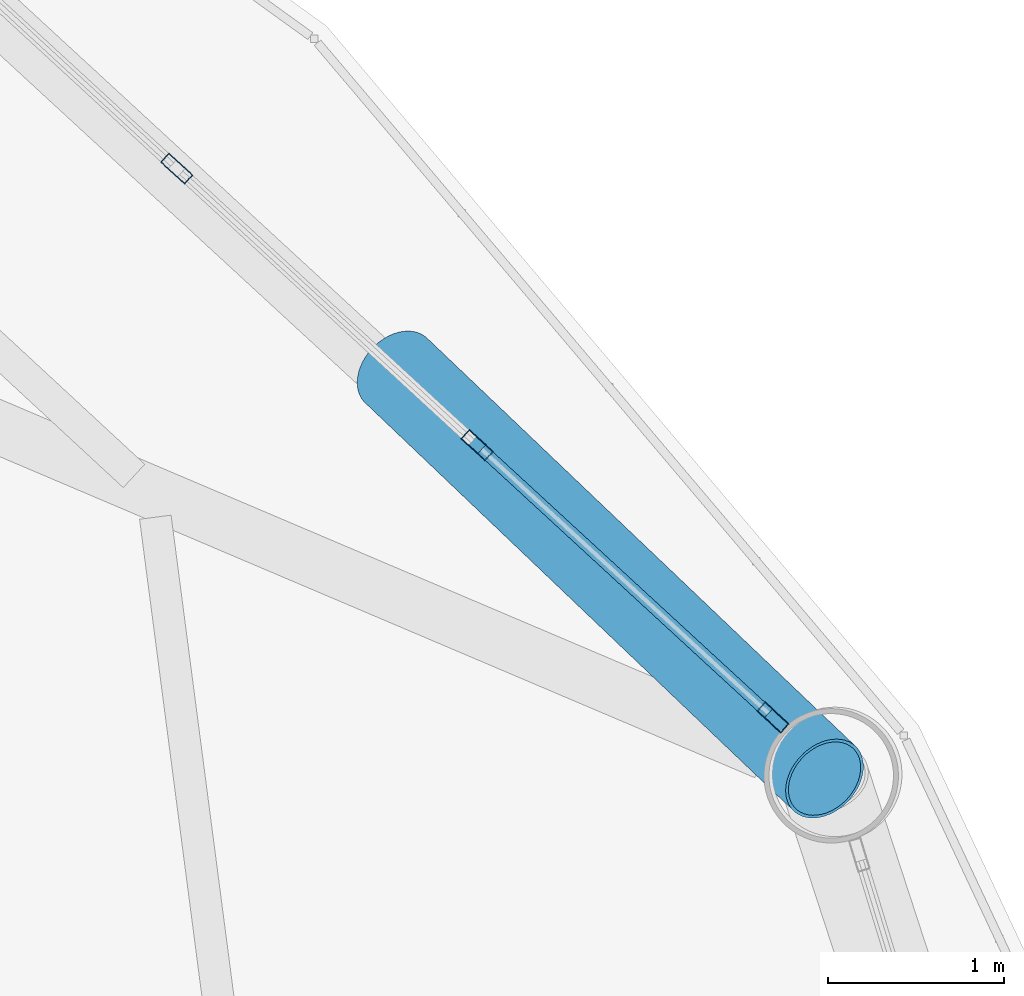
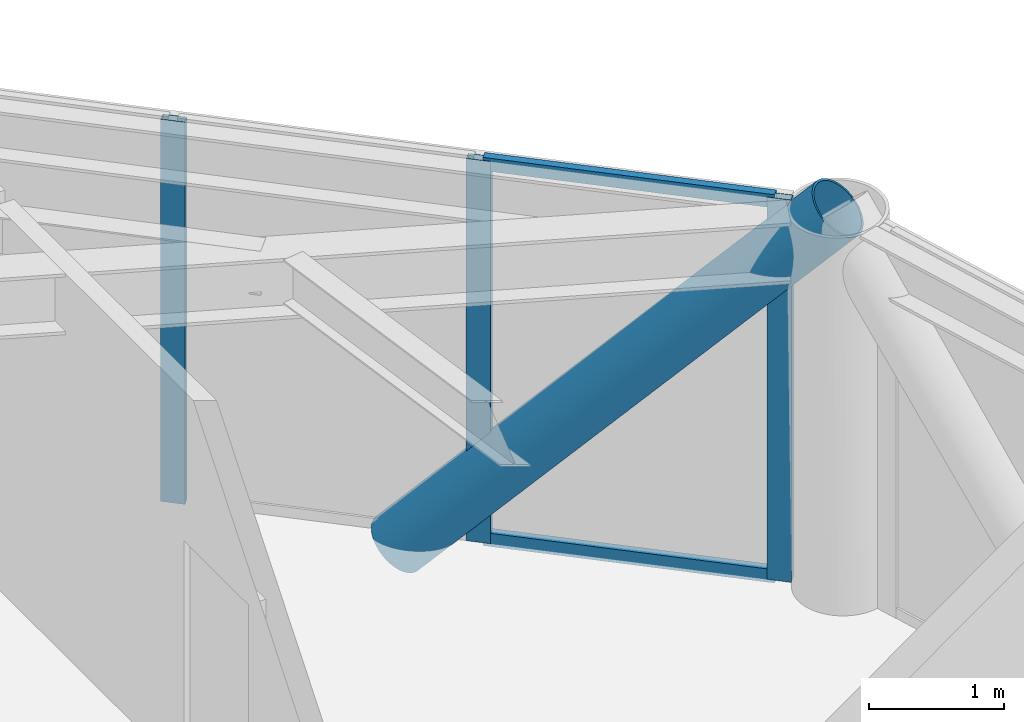
# One storey, part 17 of 26: 6 members, 1 element without a shape of its own.
"""IFC4 building model written with IfcOpenShell, lengths in metres."""

from ifc_helpers import new_model, si_unit, direction, frame, origin, origin_2d, place, context, subcontext, project, spatial, hollow_rectangle, hollow_circle, extrude, material, layer, layer_set, material_profile, profile_set, type_object, element, aggregate, save


model = new_model("IFC4")

# Units and contexts
model_context = context("Model", 3, precision=1e-05, world=origin(), true_north=direction((0.0, 1.0)))
body_context = subcontext(model_context, "Body", "Model", "MODEL_VIEW")
ifc_project = project(units=[si_unit("LENGTHUNIT", "METRE"), si_unit("AREAUNIT", "SQUARE_METRE"), si_unit("VOLUMEUNIT", "CUBIC_METRE"), si_unit("PLANEANGLEUNIT", "RADIAN"), si_unit("MASSUNIT", "GRAM", prefix="KILO")], contexts=[model_context])

# Site, building, storey
site_placement = place(None, origin())
site = spatial("IfcSite", under=ifc_project, at=site_placement, CompositionType="ELEMENT")
building_placement = place(site_placement, origin())
building = spatial("IfcBuilding", under=site, at=building_placement, Name="Varnakorn Sky Granary", CompositionType="ELEMENT")
storey_placement = place(building_placement, frame((0.0, 0.0, 165.60009765625)))
storey = spatial("IfcBuildingStorey", under=building, at=storey_placement, Name="L41", CompositionType="ELEMENT", Elevation=165.60009765625)

# Curtain wall, members
ifc_material_1 = material(Name="Anodised Bronze Aluminium Alloy 6063-T6", Category="aluminium")
ifc_layer = layer(ifc_material_1, 0.179931640625, Name="Anodised Bronze Aluminium Alloy 6063-T6")
ifc_layer_set = layer_set([ifc_layer], Name="Anodised Bronze Aluminium Alloy 6063-T6")
curtain_wall_type = type_object("IfcCurtainWallType", Name="CW-FRM-2", PredefinedType="USERDEFINED", material=ifc_layer_set)
curtain_wall_placement = place(storey_placement, origin())
curtain_wall = element("IfcCurtainWall", 1, at=curtain_wall_placement, inside=storey, type_object=curtain_wall_type, Name="Unitised Curtain Wall CW4 CW-L41-B02", ObjectType="CURTAIN WALL", PredefinedType="USERDEFINED")
ifc_material_profile_1 = material_profile(ifc_material_1, hollow_rectangle(XDim=0.070068359375, YDim=0.18505859375, WallThickness=0.00390625, at=origin_2d()), Name="ALU MULL 70x185")
ifc_profile_set_1 = profile_set([ifc_material_profile_1], Name="Anodised Bronze Aluminium Alloy 6063-T6")
member_type_1 = type_object("IfcMemberType", Name="CW-FRM-2-MULL", PredefinedType="MULLION", material=ifc_profile_set_1)
member_1_placement = place(storey_placement, frame((12.421142578125, 12.8154296875, 0.0), z_axis=(0.0, 0.0, 1.0), x_axis=(0.677284882962, 0.735720862359, 0.0)))
member_1 = element("IfcMember", 2, at=member_1_placement, type_object=member_type_1, Name="CW4 mullion 3", PredefinedType="MULLION", context=body_context, shape_type="SweptSolid", body=[
    extrude(hollow_rectangle(XDim=0.070068359375, YDim=0.18505859375, WallThickness=0.00390625, at=origin_2d()), origin(), (0.0, 0.0, 1.0), 3.449951171875),
])
member_2_placement = place(storey_placement, frame((14.1240234375, 11.247802734375, 0.0), z_axis=(0.0, 0.0, 1.0), x_axis=(0.677284882962, 0.735720862359, 0.0)))
member_2 = element("IfcMember", 3, at=member_2_placement, type_object=member_type_1, Name="CW4 mullion 4", PredefinedType="MULLION", context=body_context, shape_type="SweptSolid", body=[
    extrude(hollow_rectangle(XDim=0.070068359375, YDim=0.18505859375, WallThickness=0.00390625, at=origin_2d()), origin(), (0.0, 0.0, 1.0), 3.449951171875),
])
member_3_placement = place(storey_placement, frame((15.801025390625, 9.703857421875, 0.0), z_axis=(0.0, 0.0, 1.0), x_axis=(0.677284882962, 0.735720862359, 0.0)))
member_3 = element("IfcMember", 4, at=member_3_placement, type_object=member_type_1, Name="CW4 mullion 5", PredefinedType="MULLION", context=body_context, shape_type="SweptSolid", body=[
    extrude(hollow_rectangle(XDim=0.070068359375, YDim=0.18505859375, WallThickness=0.00390625, at=origin_2d()), origin(), (0.0, 0.0, 1.0), 3.449951171875),
])
ifc_material_profile_2 = material_profile(ifc_material_1, hollow_rectangle(XDim=0.06494140625, YDim=0.1201171875, WallThickness=0.00341796875, at=origin_2d()), Name="ALU TRAN 65x120")
ifc_profile_set_2 = profile_set([ifc_material_profile_2], Name="Anodised Bronze Aluminium Alloy 6063-T6")
member_type_2 = type_object("IfcMemberType", Name="CW-FRM-2-TRAN", PredefinedType="USERDEFINED", material=ifc_profile_set_2)
member_4_placement = place(storey_placement, frame((14.149658203125, 11.22412109375, 0.032470703125), z_axis=(0.73572618648, -0.677279099432, 0.0), x_axis=(0.677279099432, 0.73572618648, 0.0)))
member_4 = element("IfcMember", 5, at=member_4_placement, type_object=member_type_2, Name="CW4 transom 4.1", ObjectType="TRANSOM", PredefinedType="USERDEFINED", context=body_context, shape_type="SweptSolid", body=[
    extrude(hollow_rectangle(XDim=0.06494140625, YDim=0.1201171875, WallThickness=0.00341796875, at=origin_2d()), origin(), (0.0, 0.0, 1.0), 2.209716796875),
])
member_5_placement = place(storey_placement, frame((14.149658203125, 11.22412109375, 3.41748046875), z_axis=(0.73572618648, -0.677279099432, 0.0), x_axis=(0.677279099432, 0.73572618648, 0.0)))
member_5 = element("IfcMember", 6, at=member_5_placement, type_object=member_type_2, Name="CW4 transom 4.2", ObjectType="TRANSOM", PredefinedType="USERDEFINED", context=body_context, shape_type="SweptSolid", body=[
    extrude(hollow_rectangle(XDim=0.06494140625, YDim=0.1201171875, WallThickness=0.00341796875, at=origin_2d()), origin(), (0.0, 0.0, 1.0), 2.209716796875),
])
aggregate(curtain_wall, [member_1, member_2, member_3, member_4, member_5])

# Member
ifc_material_2 = material(Name="Steel S460M", Category="steel")
ifc_material_profile_3 = material_profile(ifc_material_2, hollow_circle(Radius=0.25390625, WallThickness=0.01806640625, at=origin_2d()), Name="CHS 508x18")
ifc_profile_set_3 = profile_set([ifc_material_profile_3], Name="Steel S460M")
member_type_3 = type_object("IfcMemberType", Name="MB-DIAG-T2", PredefinedType="BRACE", material=ifc_profile_set_3)
member_6_placement = place(storey_placement, frame((13.66455078125, 11.670654296875, -0.130126953125), z_axis=(0.49507169156, -0.471532396213, 0.729767921696), x_axis=(0.689682435607, 0.72411196511, 0.0)))
element("IfcMember", 7, at=member_6_placement, inside=storey, type_object=member_type_3, Name="Perimeter CHS Diagrid Brace DG02 L41", PredefinedType="BRACE", context=body_context, shape_type="SweptSolid", body=[
    extrude(hollow_circle(Radius=0.25390625, WallThickness=0.01806640625, at=origin_2d()), origin(), (0.0, 0.0, 1.0), 4.90576171875),
])

save(model, "model.ifc")
